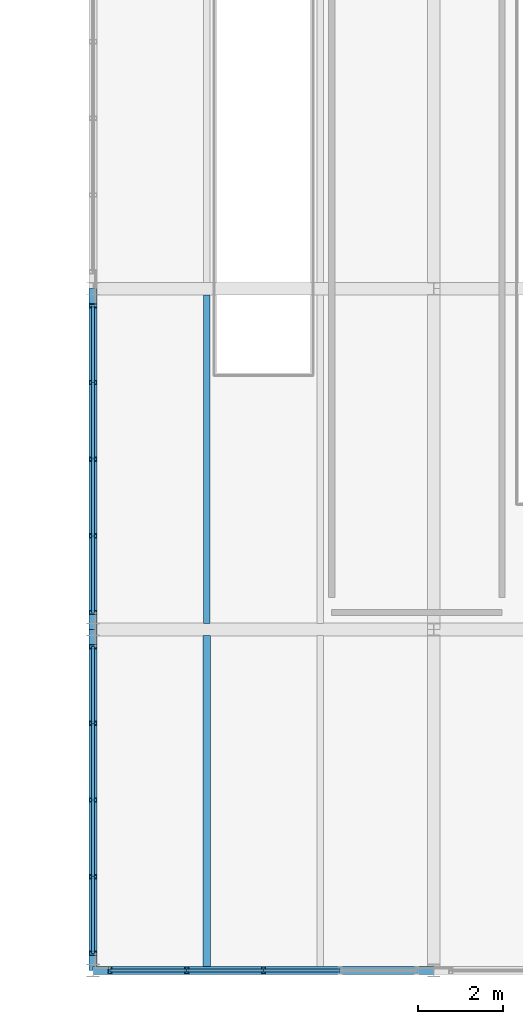
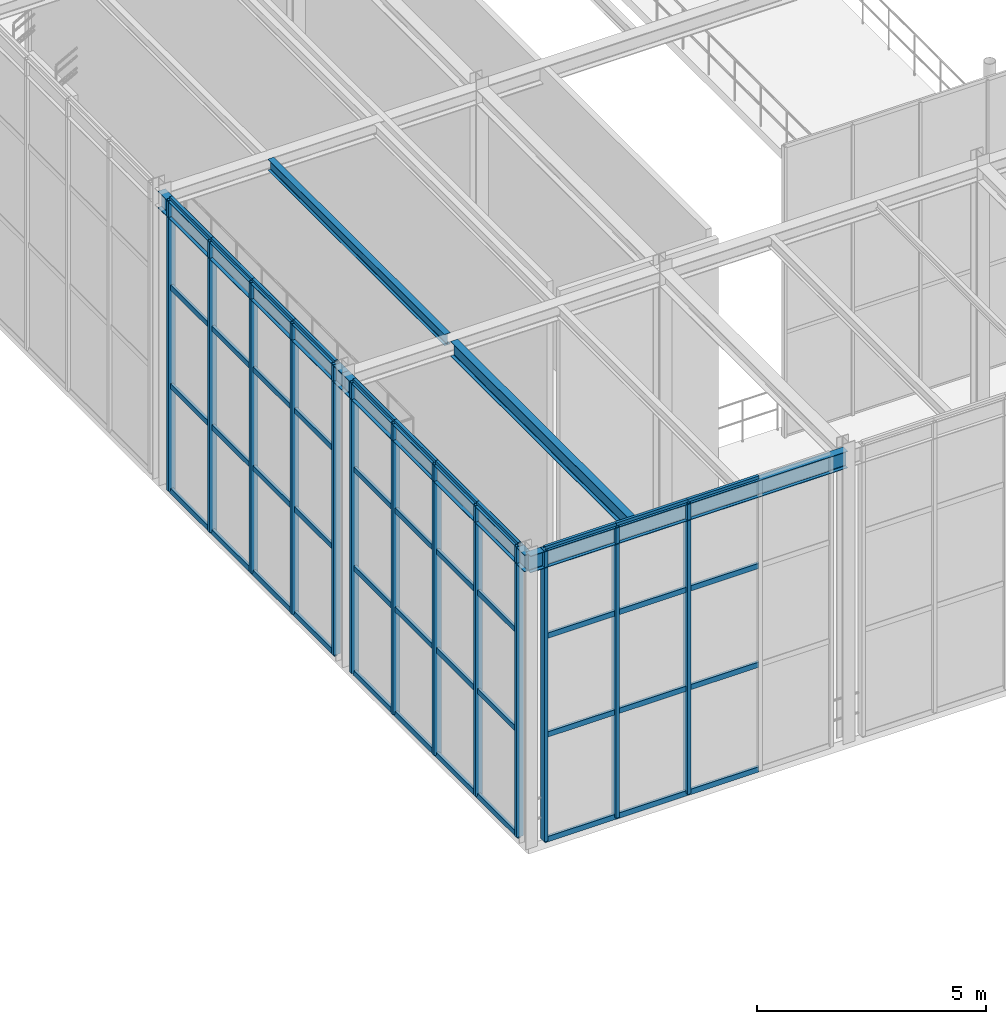
# One storey, part 36 of 138: 57 members, 5 beams, 3 elements without a shape of their own.
"""IFC4 building model written with IfcOpenShell, lengths in metres."""

from ifc_helpers import new_model, si_unit, direction, frame, origin, origin_2d, place, context, subcontext, project, spatial, hollow_rectangle, i_section, extrude, material, material_profile, profile_set, type_object, element, aggregate, save


model = new_model("IFC4")

# Units and contexts
model_context = context("Model", 3, precision=1e-05, world=origin(), true_north=direction((0.0, 1.0)))
body_context = subcontext(model_context, "Body", "Model", "MODEL_VIEW")
ifc_project = project(units=[si_unit("LENGTHUNIT", "METRE"), si_unit("AREAUNIT", "SQUARE_METRE"), si_unit("VOLUMEUNIT", "CUBIC_METRE"), si_unit("PLANEANGLEUNIT", "RADIAN"), si_unit("MASSUNIT", "GRAM", prefix="KILO")], contexts=[model_context])

# Site, building, storey
site_placement = place(None, origin())
site = spatial("IfcSite", under=ifc_project, at=site_placement, CompositionType="ELEMENT")
building_placement = place(site_placement, origin())
building = spatial("IfcBuilding", under=site, at=building_placement, Name="Sundkrona Museum", CompositionType="ELEMENT")
storey_placement = place(building_placement, frame((0.0, 0.0, 9.60009765625)))
storey = spatial("IfcBuildingStorey", under=building, at=storey_placement, Name="L02", CompositionType="ELEMENT", Elevation=9.60009765625)

# Beams
ifc_material_1 = material(Name="Steel S355J2", Category="steel")
ifc_material_profile_1 = material_profile(ifc_material_1, i_section(OverallWidth=0.14990234375, OverallDepth=0.300048828125, WebThickness=0.007080078125, FlangeThickness=0.0107421875, FilletRadius=0.014892578125, at=origin_2d()), Name="IPE 300")
ifc_profile_set_1 = profile_set([ifc_material_profile_1], Name="Steel S355J2")
beam_type_1 = type_object("IfcBeamType", Name="J-IPE300", PredefinedType="JOIST", material=ifc_profile_set_1)
beam_1_placement = place(storey_placement, frame((82.666748046875, 8.14404296875, 7.58984375), z_axis=(0.0, 1.0, 0.0), x_axis=(-1.0, 0.0, 0.0)))
element("IfcBeam", 1, at=beam_1_placement, inside=storey, type_object=beam_type_1, Name="L02 Composite Joist 0832", PredefinedType="JOIST", context=body_context, shape_type="SweptSolid", body=[
    extrude(i_section(OverallWidth=0.14990234375, OverallDepth=0.300048828125, WebThickness=0.007080078125, FlangeThickness=0.0107421875, FilletRadius=0.014892578125, at=origin_2d()), origin(), (0.0, 0.0, 1.0), 7.7119140625),
])
ifc_material_profile_2 = material_profile(ifc_material_1, i_section(OverallWidth=0.179931640625, OverallDepth=0.39990234375, WebThickness=0.008544921875, FlangeThickness=0.013427734375, FilletRadius=0.02099609375, at=origin_2d()), Name="IPE 400")
ifc_profile_set_2 = profile_set([ifc_material_profile_2], Name="Steel S355J2")
beam_type_2 = type_object("IfcBeamType", Name="J-IPE400", PredefinedType="JOIST", material=ifc_profile_set_2)
beam_2_placement = place(storey_placement, frame((82.666748046875, 0.089111328125, 7.539794921875), z_axis=(0.0, 1.0, 0.0), x_axis=(-1.0, 0.0, 0.0)))
element("IfcBeam", 2, at=beam_2_placement, inside=storey, type_object=beam_type_2, Name="L02 Composite Joist 0830", PredefinedType="JOIST", context=body_context, shape_type="SweptSolid", body=[
    extrude(i_section(OverallWidth=0.179931640625, OverallDepth=0.39990234375, WebThickness=0.008544921875, FlangeThickness=0.013427734375, FilletRadius=0.02099609375, at=origin_2d()), origin(), (0.0, 0.0, 1.0), 7.766845703125),
])

# Curtain wall, members
ifc_material_2 = material(Name="Unitised Aluminium-Steel and Ceramic-Clad Curtain Walling", Category="steel")
curtain_wall_type = type_object("IfcCurtainWallType", Name="CW-AT-72x74", PredefinedType="NOTDEFINED", material=ifc_material_2)
curtain_wall_1_placement = place(storey_placement, origin())
curtain_wall_1 = element("IfcCurtainWall", 3, at=curtain_wall_1_placement, inside=storey, type_object=curtain_wall_type, Name="L02 Curtain Wall CW-L02-043", PredefinedType="NOTDEFINED")
ifc_material_3 = material(Name="Aluminium EN AW-6060 T66", Category="aluminium")
ifc_material_profile_3 = material_profile(ifc_material_3, hollow_rectangle(XDim=0.090087890625, YDim=0.179931640625, WallThickness=0.00634765625, at=origin_2d()), Name="RHS 180x90x6.3")
ifc_profile_set_3 = profile_set([ifc_material_profile_3], Name="Aluminium EN AW-6060 T66")
member_type_1 = type_object("IfcMemberType", Name="ML-180", PredefinedType="MULLION", material=ifc_profile_set_3)
member_1_placement = place(storey_placement, frame((80.39990234375, 0.0, -0.004150390625), z_axis=(0.0, 0.0, 1.0), x_axis=(1.0, 0.0, 0.0)))
member_1 = element("IfcMember", 4, at=member_1_placement, type_object=member_type_1, Name="CW-L02-043 Mullion 01", PredefinedType="MULLION", context=body_context, shape_type="SweptSolid", body=[
    extrude(hollow_rectangle(XDim=0.090087890625, YDim=0.179931640625, WallThickness=0.00634765625, at=origin_2d()), origin(), (0.0, 0.0, 1.0), 7.748046875),
])
member_2_placement = place(storey_placement, frame((82.199951171875, 0.0, -0.004150390625), z_axis=(0.0, 0.0, 1.0), x_axis=(1.0, 0.0, 0.0)))
member_2 = element("IfcMember", 5, at=member_2_placement, type_object=member_type_1, Name="CW-L02-043 Mullion 02", PredefinedType="MULLION", context=body_context, shape_type="SweptSolid", body=[
    extrude(hollow_rectangle(XDim=0.090087890625, YDim=0.179931640625, WallThickness=0.00634765625, at=origin_2d()), origin(), (0.0, 0.0, 1.0), 7.748046875),
])
member_3_placement = place(storey_placement, frame((84.0, 0.0, -0.004150390625), z_axis=(0.0, 0.0, 1.0), x_axis=(1.0, 0.0, 0.0)))
member_3 = element("IfcMember", 6, at=member_3_placement, type_object=member_type_1, Name="CW-L02-043 Mullion 03", PredefinedType="MULLION", context=body_context, shape_type="SweptSolid", body=[
    extrude(hollow_rectangle(XDim=0.090087890625, YDim=0.179931640625, WallThickness=0.00634765625, at=origin_2d()), origin(), (0.0, 0.0, 1.0), 7.748046875),
])

curtain_wall_2_placement = place(storey_placement, origin())
curtain_wall_2 = element("IfcCurtainWall", 7, at=curtain_wall_2_placement, inside=storey, type_object=curtain_wall_type, Name="L02 Curtain Wall CW-L02-048", PredefinedType="NOTDEFINED")
member_4_placement = place(storey_placement, frame((80.0, 0.39990234375, -0.004150390625), z_axis=(0.0, 0.0, 1.0), x_axis=(0.0, 1.0, 0.0)))
member_4 = element("IfcMember", 8, at=member_4_placement, type_object=member_type_1, Name="CW-L02-048 Mullion 01", PredefinedType="MULLION", context=body_context, shape_type="SweptSolid", body=[
    extrude(hollow_rectangle(XDim=0.090087890625, YDim=0.179931640625, WallThickness=0.00634765625, at=origin_2d()), origin(), (0.0, 0.0, 1.0), 7.748046875),
])
member_5_placement = place(storey_placement, frame((80.0, 2.199951171875, -0.004150390625), z_axis=(0.0, 0.0, 1.0), x_axis=(0.0, 1.0, 0.0)))
member_5 = element("IfcMember", 9, at=member_5_placement, type_object=member_type_1, Name="CW-L02-048 Mullion 02", PredefinedType="MULLION", context=body_context, shape_type="SweptSolid", body=[
    extrude(hollow_rectangle(XDim=0.090087890625, YDim=0.179931640625, WallThickness=0.00634765625, at=origin_2d()), origin(), (0.0, 0.0, 1.0), 7.748046875),
])
member_6_placement = place(storey_placement, frame((80.0, 4.0, -0.004150390625), z_axis=(0.0, 0.0, 1.0), x_axis=(0.0, 1.0, 0.0)))
member_6 = element("IfcMember", 10, at=member_6_placement, type_object=member_type_1, Name="CW-L02-048 Mullion 03", PredefinedType="MULLION", context=body_context, shape_type="SweptSolid", body=[
    extrude(hollow_rectangle(XDim=0.090087890625, YDim=0.179931640625, WallThickness=0.00634765625, at=origin_2d()), origin(), (0.0, 0.0, 1.0), 7.748046875),
])
member_7_placement = place(storey_placement, frame((80.0, 5.800048828125, -0.004150390625), z_axis=(0.0, 0.0, 1.0), x_axis=(0.0, 1.0, 0.0)))
member_7 = element("IfcMember", 11, at=member_7_placement, type_object=member_type_1, Name="CW-L02-048 Mullion 04", PredefinedType="MULLION", context=body_context, shape_type="SweptSolid", body=[
    extrude(hollow_rectangle(XDim=0.090087890625, YDim=0.179931640625, WallThickness=0.00634765625, at=origin_2d()), origin(), (0.0, 0.0, 1.0), 7.748046875),
])
member_8_placement = place(storey_placement, frame((80.0, 7.60009765625, -0.004150390625), z_axis=(0.0, 0.0, 1.0), x_axis=(0.0, 1.0, 0.0)))
member_8 = element("IfcMember", 12, at=member_8_placement, type_object=member_type_1, Name="CW-L02-048 Mullion 05", PredefinedType="MULLION", context=body_context, shape_type="SweptSolid", body=[
    extrude(hollow_rectangle(XDim=0.090087890625, YDim=0.179931640625, WallThickness=0.00634765625, at=origin_2d()), origin(), (0.0, 0.0, 1.0), 7.748046875),
])

curtain_wall_3_placement = place(storey_placement, origin())
curtain_wall_3 = element("IfcCurtainWall", 13, at=curtain_wall_3_placement, inside=storey, type_object=curtain_wall_type, Name="L02 Curtain Wall CW-L02-049", PredefinedType="NOTDEFINED")
member_9_placement = place(storey_placement, frame((80.0, 8.39990234375, -0.004150390625), z_axis=(0.0, 0.0, 1.0), x_axis=(0.0, 1.0, 0.0)))
member_9 = element("IfcMember", 14, at=member_9_placement, type_object=member_type_1, Name="CW-L02-049 Mullion 01", PredefinedType="MULLION", context=body_context, shape_type="SweptSolid", body=[
    extrude(hollow_rectangle(XDim=0.090087890625, YDim=0.179931640625, WallThickness=0.00634765625, at=origin_2d()), origin(), (0.0, 0.0, 1.0), 7.748046875),
])
member_10_placement = place(storey_placement, frame((80.0, 10.199951171875, -0.004150390625), z_axis=(0.0, 0.0, 1.0), x_axis=(0.0, 1.0, 0.0)))
member_10 = element("IfcMember", 15, at=member_10_placement, type_object=member_type_1, Name="CW-L02-049 Mullion 02", PredefinedType="MULLION", context=body_context, shape_type="SweptSolid", body=[
    extrude(hollow_rectangle(XDim=0.090087890625, YDim=0.179931640625, WallThickness=0.00634765625, at=origin_2d()), origin(), (0.0, 0.0, 1.0), 7.748046875),
])
member_11_placement = place(storey_placement, frame((80.0, 12.0, -0.004150390625), z_axis=(0.0, 0.0, 1.0), x_axis=(0.0, 1.0, 0.0)))
member_11 = element("IfcMember", 16, at=member_11_placement, type_object=member_type_1, Name="CW-L02-049 Mullion 03", PredefinedType="MULLION", context=body_context, shape_type="SweptSolid", body=[
    extrude(hollow_rectangle(XDim=0.090087890625, YDim=0.179931640625, WallThickness=0.00634765625, at=origin_2d()), origin(), (0.0, 0.0, 1.0), 7.748046875),
])
member_12_placement = place(storey_placement, frame((80.0, 13.800048828125, -0.004150390625), z_axis=(0.0, 0.0, 1.0), x_axis=(0.0, 1.0, 0.0)))
member_12 = element("IfcMember", 17, at=member_12_placement, type_object=member_type_1, Name="CW-L02-049 Mullion 04", PredefinedType="MULLION", context=body_context, shape_type="SweptSolid", body=[
    extrude(hollow_rectangle(XDim=0.090087890625, YDim=0.179931640625, WallThickness=0.00634765625, at=origin_2d()), origin(), (0.0, 0.0, 1.0), 7.748046875),
])
member_13_placement = place(storey_placement, frame((80.0, 15.60009765625, -0.004150390625), z_axis=(0.0, 0.0, 1.0), x_axis=(0.0, 1.0, 0.0)))
member_13 = element("IfcMember", 18, at=member_13_placement, type_object=member_type_1, Name="CW-L02-049 Mullion 05", PredefinedType="MULLION", context=body_context, shape_type="SweptSolid", body=[
    extrude(hollow_rectangle(XDim=0.090087890625, YDim=0.179931640625, WallThickness=0.00634765625, at=origin_2d()), origin(), (0.0, 0.0, 1.0), 7.748046875),
])

# Beams
ifc_material_profile_4 = material_profile(ifc_material_1, i_section(OverallWidth=0.18994140625, OverallDepth=0.449951171875, WebThickness=0.009521484375, FlangeThickness=0.0146484375, FilletRadius=0.02099609375, at=origin_2d()), Name="IPE 450")
ifc_profile_set_4 = profile_set([ifc_material_profile_4], Name="Steel S355J2")
beam_type_3 = type_object("IfcBeamType", Name="SP-IPE450", PredefinedType="SPANDREL", material=ifc_profile_set_4)
for number, where, z_axis, x_axis, name in (
    (19, (80.0, 0.0, 7.514892578125), (1.0, 0.0, 0.0), (0.0, 1.0, 0.0), "L02 Girder X-1122"),
    (20, (80.0, 0.0, 7.514892578125), (0.0, 1.0, 0.0), (-1.0, 0.0, 0.0), "L02 Girder Y-1303"),
    (21, (80.0, 8.0, 7.514892578125), (0.0, 1.0, 0.0), (-1.0, 0.0, 0.0), "L02 Girder Y-1304"),
):
    element("IfcBeam", number, at=place(storey_placement, frame(where, z_axis=z_axis, x_axis=x_axis)), inside=storey, type_object=beam_type_3, Name=name, PredefinedType="SPANDREL", context=body_context, shape_type="SweptSolid", body=[
        extrude(i_section(OverallWidth=0.18994140625, OverallDepth=0.449951171875, WebThickness=0.009521484375, FlangeThickness=0.0146484375, FilletRadius=0.02099609375, at=origin_2d()), origin(), (0.0, 0.0, 1.0), 8.0),
    ])

# Member
ifc_material_profile_5 = material_profile(ifc_material_3, hollow_rectangle(XDim=0.070068359375, YDim=0.139892578125, WallThickness=0.0048828125, at=origin_2d()), Name="RHS 140x70x5.0")
ifc_profile_set_5 = profile_set([ifc_material_profile_5], Name="Aluminium EN AW-6060 T66")
member_type_2 = type_object("IfcMemberType", Name="TR-140", PredefinedType="USERDEFINED", material=ifc_profile_set_5)
member_14_placement = place(storey_placement, frame((80.39990234375, 0.0, -0.004150390625), z_axis=(1.0, 0.0, 0.0), x_axis=(0.0, 1.0, 0.0)))
member_14 = element("IfcMember", 22, at=member_14_placement, type_object=member_type_2, Name="CW-L02-043 Transom 01", ObjectType="TRANSOM", PredefinedType="USERDEFINED", context=body_context, shape_type="SweptSolid", body=[
    extrude(hollow_rectangle(XDim=0.070068359375, YDim=0.139892578125, WallThickness=0.0048828125, at=origin_2d()), origin(), (0.0, 0.0, 1.0), 1.800048828125),
])

member_15_placement = place(storey_placement, frame((80.39990234375, 0.0, 2.785888671875), z_axis=(1.0, 0.0, 0.0), x_axis=(0.0, 1.0, 0.0)))
member_15 = element("IfcMember", 23, at=member_15_placement, type_object=member_type_2, Name="CW-L02-043 Transom 02", ObjectType="TRANSOM", PredefinedType="USERDEFINED", context=body_context, shape_type="SweptSolid", body=[
    extrude(hollow_rectangle(XDim=0.070068359375, YDim=0.139892578125, WallThickness=0.0048828125, at=origin_2d()), origin(), (0.0, 0.0, 1.0), 1.800048828125),
])

member_16_placement = place(storey_placement, frame((80.39990234375, 0.0, 5.41796875), z_axis=(1.0, 0.0, 0.0), x_axis=(0.0, 1.0, 0.0)))
member_16 = element("IfcMember", 24, at=member_16_placement, type_object=member_type_2, Name="CW-L02-043 Transom 03", ObjectType="TRANSOM", PredefinedType="USERDEFINED", context=body_context, shape_type="SweptSolid", body=[
    extrude(hollow_rectangle(XDim=0.070068359375, YDim=0.139892578125, WallThickness=0.0048828125, at=origin_2d()), origin(), (0.0, 0.0, 1.0), 1.800048828125),
])

member_17_placement = place(storey_placement, frame((80.39990234375, 0.0, 7.743896484375), z_axis=(1.0, 0.0, 0.0), x_axis=(0.0, 1.0, 0.0)))
member_17 = element("IfcMember", 25, at=member_17_placement, type_object=member_type_2, Name="CW-L02-043 Transom 04", ObjectType="TRANSOM", PredefinedType="USERDEFINED", context=body_context, shape_type="SweptSolid", body=[
    extrude(hollow_rectangle(XDim=0.070068359375, YDim=0.139892578125, WallThickness=0.0048828125, at=origin_2d()), origin(), (0.0, 0.0, 1.0), 1.800048828125),
])

member_18_placement = place(storey_placement, frame((82.199951171875, 0.0, -0.004150390625), z_axis=(1.0, 0.0, 0.0), x_axis=(0.0, 1.0, 0.0)))
member_18 = element("IfcMember", 26, at=member_18_placement, type_object=member_type_2, Name="CW-L02-043 Transom 05", ObjectType="TRANSOM", PredefinedType="USERDEFINED", context=body_context, shape_type="SweptSolid", body=[
    extrude(hollow_rectangle(XDim=0.070068359375, YDim=0.139892578125, WallThickness=0.0048828125, at=origin_2d()), origin(), (0.0, 0.0, 1.0), 1.800048828125),
])

member_19_placement = place(storey_placement, frame((82.199951171875, 0.0, 2.785888671875), z_axis=(1.0, 0.0, 0.0), x_axis=(0.0, 1.0, 0.0)))
member_19 = element("IfcMember", 27, at=member_19_placement, type_object=member_type_2, Name="CW-L02-043 Transom 06", ObjectType="TRANSOM", PredefinedType="USERDEFINED", context=body_context, shape_type="SweptSolid", body=[
    extrude(hollow_rectangle(XDim=0.070068359375, YDim=0.139892578125, WallThickness=0.0048828125, at=origin_2d()), origin(), (0.0, 0.0, 1.0), 1.800048828125),
])

member_20_placement = place(storey_placement, frame((82.199951171875, 0.0, 5.41796875), z_axis=(1.0, 0.0, 0.0), x_axis=(0.0, 1.0, 0.0)))
member_20 = element("IfcMember", 28, at=member_20_placement, type_object=member_type_2, Name="CW-L02-043 Transom 07", ObjectType="TRANSOM", PredefinedType="USERDEFINED", context=body_context, shape_type="SweptSolid", body=[
    extrude(hollow_rectangle(XDim=0.070068359375, YDim=0.139892578125, WallThickness=0.0048828125, at=origin_2d()), origin(), (0.0, 0.0, 1.0), 1.800048828125),
])

member_21_placement = place(storey_placement, frame((82.199951171875, 0.0, 7.743896484375), z_axis=(1.0, 0.0, 0.0), x_axis=(0.0, 1.0, 0.0)))
member_21 = element("IfcMember", 29, at=member_21_placement, type_object=member_type_2, Name="CW-L02-043 Transom 08", ObjectType="TRANSOM", PredefinedType="USERDEFINED", context=body_context, shape_type="SweptSolid", body=[
    extrude(hollow_rectangle(XDim=0.070068359375, YDim=0.139892578125, WallThickness=0.0048828125, at=origin_2d()), origin(), (0.0, 0.0, 1.0), 1.800048828125),
])

member_22_placement = place(storey_placement, frame((84.0, 0.0, -0.004150390625), z_axis=(1.0, 0.0, 0.0), x_axis=(0.0, 1.0, 0.0)))
member_22 = element("IfcMember", 30, at=member_22_placement, type_object=member_type_2, Name="CW-L02-043 Transom 09", ObjectType="TRANSOM", PredefinedType="USERDEFINED", context=body_context, shape_type="SweptSolid", body=[
    extrude(hollow_rectangle(XDim=0.070068359375, YDim=0.139892578125, WallThickness=0.0048828125, at=origin_2d()), origin(), (0.0, 0.0, 1.0), 1.800048828125),
])

member_23_placement = place(storey_placement, frame((84.0, 0.0, 2.785888671875), z_axis=(1.0, 0.0, 0.0), x_axis=(0.0, 1.0, 0.0)))
member_23 = element("IfcMember", 31, at=member_23_placement, type_object=member_type_2, Name="CW-L02-043 Transom 10", ObjectType="TRANSOM", PredefinedType="USERDEFINED", context=body_context, shape_type="SweptSolid", body=[
    extrude(hollow_rectangle(XDim=0.070068359375, YDim=0.139892578125, WallThickness=0.0048828125, at=origin_2d()), origin(), (0.0, 0.0, 1.0), 1.800048828125),
])

member_24_placement = place(storey_placement, frame((84.0, 0.0, 5.41796875), z_axis=(1.0, 0.0, 0.0), x_axis=(0.0, 1.0, 0.0)))
member_24 = element("IfcMember", 32, at=member_24_placement, type_object=member_type_2, Name="CW-L02-043 Transom 11", ObjectType="TRANSOM", PredefinedType="USERDEFINED", context=body_context, shape_type="SweptSolid", body=[
    extrude(hollow_rectangle(XDim=0.070068359375, YDim=0.139892578125, WallThickness=0.0048828125, at=origin_2d()), origin(), (0.0, 0.0, 1.0), 1.800048828125),
])

member_25_placement = place(storey_placement, frame((84.0, 0.0, 7.743896484375), z_axis=(1.0, 0.0, 0.0), x_axis=(0.0, 1.0, 0.0)))
member_25 = element("IfcMember", 33, at=member_25_placement, type_object=member_type_2, Name="CW-L02-043 Transom 12", ObjectType="TRANSOM", PredefinedType="USERDEFINED", context=body_context, shape_type="SweptSolid", body=[
    extrude(hollow_rectangle(XDim=0.070068359375, YDim=0.139892578125, WallThickness=0.0048828125, at=origin_2d()), origin(), (0.0, 0.0, 1.0), 1.800048828125),
])

aggregate(curtain_wall_1, [member_1, member_2, member_3, member_14, member_15, member_16, member_17, member_18, member_19, member_20, member_21, member_22, member_23, member_24, member_25])

member_26_placement = place(storey_placement, frame((80.0, 0.39990234375, -0.004150390625), z_axis=(0.0, 1.0, 0.0), x_axis=(-1.0, 0.0, 0.0)))
member_26 = element("IfcMember", 34, at=member_26_placement, type_object=member_type_2, Name="CW-L02-048 Transom 01", ObjectType="TRANSOM", PredefinedType="USERDEFINED", context=body_context, shape_type="SweptSolid", body=[
    extrude(hollow_rectangle(XDim=0.070068359375, YDim=0.139892578125, WallThickness=0.0048828125, at=origin_2d()), origin(), (0.0, 0.0, 1.0), 1.800048828125),
])

member_27_placement = place(storey_placement, frame((80.0, 0.39990234375, 2.785888671875), z_axis=(0.0, 1.0, 0.0), x_axis=(-1.0, 0.0, 0.0)))
member_27 = element("IfcMember", 35, at=member_27_placement, type_object=member_type_2, Name="CW-L02-048 Transom 02", ObjectType="TRANSOM", PredefinedType="USERDEFINED", context=body_context, shape_type="SweptSolid", body=[
    extrude(hollow_rectangle(XDim=0.070068359375, YDim=0.139892578125, WallThickness=0.0048828125, at=origin_2d()), origin(), (0.0, 0.0, 1.0), 1.800048828125),
])

member_28_placement = place(storey_placement, frame((80.0, 0.39990234375, 5.41796875), z_axis=(0.0, 1.0, 0.0), x_axis=(-1.0, 0.0, 0.0)))
member_28 = element("IfcMember", 36, at=member_28_placement, type_object=member_type_2, Name="CW-L02-048 Transom 03", ObjectType="TRANSOM", PredefinedType="USERDEFINED", context=body_context, shape_type="SweptSolid", body=[
    extrude(hollow_rectangle(XDim=0.070068359375, YDim=0.139892578125, WallThickness=0.0048828125, at=origin_2d()), origin(), (0.0, 0.0, 1.0), 1.800048828125),
])

member_29_placement = place(storey_placement, frame((80.0, 0.39990234375, 7.743896484375), z_axis=(0.0, 1.0, 0.0), x_axis=(-1.0, 0.0, 0.0)))
member_29 = element("IfcMember", 37, at=member_29_placement, type_object=member_type_2, Name="CW-L02-048 Transom 04", ObjectType="TRANSOM", PredefinedType="USERDEFINED", context=body_context, shape_type="SweptSolid", body=[
    extrude(hollow_rectangle(XDim=0.070068359375, YDim=0.139892578125, WallThickness=0.0048828125, at=origin_2d()), origin(), (0.0, 0.0, 1.0), 1.800048828125),
])

member_30_placement = place(storey_placement, frame((80.0, 2.199951171875, -0.004150390625), z_axis=(0.0, 1.0, 0.0), x_axis=(-1.0, 0.0, 0.0)))
member_30 = element("IfcMember", 38, at=member_30_placement, type_object=member_type_2, Name="CW-L02-048 Transom 05", ObjectType="TRANSOM", PredefinedType="USERDEFINED", context=body_context, shape_type="SweptSolid", body=[
    extrude(hollow_rectangle(XDim=0.070068359375, YDim=0.139892578125, WallThickness=0.0048828125, at=origin_2d()), origin(), (0.0, 0.0, 1.0), 1.800048828125),
])

member_31_placement = place(storey_placement, frame((80.0, 2.199951171875, 2.785888671875), z_axis=(0.0, 1.0, 0.0), x_axis=(-1.0, 0.0, 0.0)))
member_31 = element("IfcMember", 39, at=member_31_placement, type_object=member_type_2, Name="CW-L02-048 Transom 06", ObjectType="TRANSOM", PredefinedType="USERDEFINED", context=body_context, shape_type="SweptSolid", body=[
    extrude(hollow_rectangle(XDim=0.070068359375, YDim=0.139892578125, WallThickness=0.0048828125, at=origin_2d()), origin(), (0.0, 0.0, 1.0), 1.800048828125),
])

member_32_placement = place(storey_placement, frame((80.0, 2.199951171875, 5.41796875), z_axis=(0.0, 1.0, 0.0), x_axis=(-1.0, 0.0, 0.0)))
member_32 = element("IfcMember", 40, at=member_32_placement, type_object=member_type_2, Name="CW-L02-048 Transom 07", ObjectType="TRANSOM", PredefinedType="USERDEFINED", context=body_context, shape_type="SweptSolid", body=[
    extrude(hollow_rectangle(XDim=0.070068359375, YDim=0.139892578125, WallThickness=0.0048828125, at=origin_2d()), origin(), (0.0, 0.0, 1.0), 1.800048828125),
])

member_33_placement = place(storey_placement, frame((80.0, 2.199951171875, 7.743896484375), z_axis=(0.0, 1.0, 0.0), x_axis=(-1.0, 0.0, 0.0)))
member_33 = element("IfcMember", 41, at=member_33_placement, type_object=member_type_2, Name="CW-L02-048 Transom 08", ObjectType="TRANSOM", PredefinedType="USERDEFINED", context=body_context, shape_type="SweptSolid", body=[
    extrude(hollow_rectangle(XDim=0.070068359375, YDim=0.139892578125, WallThickness=0.0048828125, at=origin_2d()), origin(), (0.0, 0.0, 1.0), 1.800048828125),
])

member_34_placement = place(storey_placement, frame((80.0, 4.0, -0.004150390625), z_axis=(0.0, 1.0, 0.0), x_axis=(-1.0, 0.0, 0.0)))
member_34 = element("IfcMember", 42, at=member_34_placement, type_object=member_type_2, Name="CW-L02-048 Transom 09", ObjectType="TRANSOM", PredefinedType="USERDEFINED", context=body_context, shape_type="SweptSolid", body=[
    extrude(hollow_rectangle(XDim=0.070068359375, YDim=0.139892578125, WallThickness=0.0048828125, at=origin_2d()), origin(), (0.0, 0.0, 1.0), 1.800048828125),
])

member_35_placement = place(storey_placement, frame((80.0, 4.0, 2.785888671875), z_axis=(0.0, 1.0, 0.0), x_axis=(-1.0, 0.0, 0.0)))
member_35 = element("IfcMember", 43, at=member_35_placement, type_object=member_type_2, Name="CW-L02-048 Transom 10", ObjectType="TRANSOM", PredefinedType="USERDEFINED", context=body_context, shape_type="SweptSolid", body=[
    extrude(hollow_rectangle(XDim=0.070068359375, YDim=0.139892578125, WallThickness=0.0048828125, at=origin_2d()), origin(), (0.0, 0.0, 1.0), 1.800048828125),
])

member_36_placement = place(storey_placement, frame((80.0, 4.0, 5.41796875), z_axis=(0.0, 1.0, 0.0), x_axis=(-1.0, 0.0, 0.0)))
member_36 = element("IfcMember", 44, at=member_36_placement, type_object=member_type_2, Name="CW-L02-048 Transom 11", ObjectType="TRANSOM", PredefinedType="USERDEFINED", context=body_context, shape_type="SweptSolid", body=[
    extrude(hollow_rectangle(XDim=0.070068359375, YDim=0.139892578125, WallThickness=0.0048828125, at=origin_2d()), origin(), (0.0, 0.0, 1.0), 1.800048828125),
])

member_37_placement = place(storey_placement, frame((80.0, 4.0, 7.743896484375), z_axis=(0.0, 1.0, 0.0), x_axis=(-1.0, 0.0, 0.0)))
member_37 = element("IfcMember", 45, at=member_37_placement, type_object=member_type_2, Name="CW-L02-048 Transom 12", ObjectType="TRANSOM", PredefinedType="USERDEFINED", context=body_context, shape_type="SweptSolid", body=[
    extrude(hollow_rectangle(XDim=0.070068359375, YDim=0.139892578125, WallThickness=0.0048828125, at=origin_2d()), origin(), (0.0, 0.0, 1.0), 1.800048828125),
])

member_38_placement = place(storey_placement, frame((80.0, 5.800048828125, -0.004150390625), z_axis=(0.0, 1.0, 0.0), x_axis=(-1.0, 0.0, 0.0)))
member_38 = element("IfcMember", 46, at=member_38_placement, type_object=member_type_2, Name="CW-L02-048 Transom 13", ObjectType="TRANSOM", PredefinedType="USERDEFINED", context=body_context, shape_type="SweptSolid", body=[
    extrude(hollow_rectangle(XDim=0.070068359375, YDim=0.139892578125, WallThickness=0.0048828125, at=origin_2d()), origin(), (0.0, 0.0, 1.0), 1.800048828125),
])

member_39_placement = place(storey_placement, frame((80.0, 5.800048828125, 2.785888671875), z_axis=(0.0, 1.0, 0.0), x_axis=(-1.0, 0.0, 0.0)))
member_39 = element("IfcMember", 47, at=member_39_placement, type_object=member_type_2, Name="CW-L02-048 Transom 14", ObjectType="TRANSOM", PredefinedType="USERDEFINED", context=body_context, shape_type="SweptSolid", body=[
    extrude(hollow_rectangle(XDim=0.070068359375, YDim=0.139892578125, WallThickness=0.0048828125, at=origin_2d()), origin(), (0.0, 0.0, 1.0), 1.800048828125),
])

member_40_placement = place(storey_placement, frame((80.0, 5.800048828125, 5.41796875), z_axis=(0.0, 1.0, 0.0), x_axis=(-1.0, 0.0, 0.0)))
member_40 = element("IfcMember", 48, at=member_40_placement, type_object=member_type_2, Name="CW-L02-048 Transom 15", ObjectType="TRANSOM", PredefinedType="USERDEFINED", context=body_context, shape_type="SweptSolid", body=[
    extrude(hollow_rectangle(XDim=0.070068359375, YDim=0.139892578125, WallThickness=0.0048828125, at=origin_2d()), origin(), (0.0, 0.0, 1.0), 1.800048828125),
])

member_41_placement = place(storey_placement, frame((80.0, 5.800048828125, 7.743896484375), z_axis=(0.0, 1.0, 0.0), x_axis=(-1.0, 0.0, 0.0)))
member_41 = element("IfcMember", 49, at=member_41_placement, type_object=member_type_2, Name="CW-L02-048 Transom 16", ObjectType="TRANSOM", PredefinedType="USERDEFINED", context=body_context, shape_type="SweptSolid", body=[
    extrude(hollow_rectangle(XDim=0.070068359375, YDim=0.139892578125, WallThickness=0.0048828125, at=origin_2d()), origin(), (0.0, 0.0, 1.0), 1.800048828125),
])

aggregate(curtain_wall_2, [member_4, member_5, member_6, member_7, member_8, member_26, member_27, member_28, member_29, member_30, member_31, member_32, member_33, member_34, member_35, member_36, member_37, member_38, member_39, member_40, member_41])

member_42_placement = place(storey_placement, frame((80.0, 8.39990234375, -0.004150390625), z_axis=(0.0, 1.0, 0.0), x_axis=(-1.0, 0.0, 0.0)))
member_42 = element("IfcMember", 50, at=member_42_placement, type_object=member_type_2, Name="CW-L02-049 Transom 01", ObjectType="TRANSOM", PredefinedType="USERDEFINED", context=body_context, shape_type="SweptSolid", body=[
    extrude(hollow_rectangle(XDim=0.070068359375, YDim=0.139892578125, WallThickness=0.0048828125, at=origin_2d()), origin(), (0.0, 0.0, 1.0), 1.800048828125),
])

member_43_placement = place(storey_placement, frame((80.0, 8.39990234375, 2.785888671875), z_axis=(0.0, 1.0, 0.0), x_axis=(-1.0, 0.0, 0.0)))
member_43 = element("IfcMember", 51, at=member_43_placement, type_object=member_type_2, Name="CW-L02-049 Transom 02", ObjectType="TRANSOM", PredefinedType="USERDEFINED", context=body_context, shape_type="SweptSolid", body=[
    extrude(hollow_rectangle(XDim=0.070068359375, YDim=0.139892578125, WallThickness=0.0048828125, at=origin_2d()), origin(), (0.0, 0.0, 1.0), 1.800048828125),
])

member_44_placement = place(storey_placement, frame((80.0, 8.39990234375, 5.41796875), z_axis=(0.0, 1.0, 0.0), x_axis=(-1.0, 0.0, 0.0)))
member_44 = element("IfcMember", 52, at=member_44_placement, type_object=member_type_2, Name="CW-L02-049 Transom 03", ObjectType="TRANSOM", PredefinedType="USERDEFINED", context=body_context, shape_type="SweptSolid", body=[
    extrude(hollow_rectangle(XDim=0.070068359375, YDim=0.139892578125, WallThickness=0.0048828125, at=origin_2d()), origin(), (0.0, 0.0, 1.0), 1.800048828125),
])

member_45_placement = place(storey_placement, frame((80.0, 8.39990234375, 7.743896484375), z_axis=(0.0, 1.0, 0.0), x_axis=(-1.0, 0.0, 0.0)))
member_45 = element("IfcMember", 53, at=member_45_placement, type_object=member_type_2, Name="CW-L02-049 Transom 04", ObjectType="TRANSOM", PredefinedType="USERDEFINED", context=body_context, shape_type="SweptSolid", body=[
    extrude(hollow_rectangle(XDim=0.070068359375, YDim=0.139892578125, WallThickness=0.0048828125, at=origin_2d()), origin(), (0.0, 0.0, 1.0), 1.800048828125),
])

member_46_placement = place(storey_placement, frame((80.0, 10.199951171875, -0.004150390625), z_axis=(0.0, 1.0, 0.0), x_axis=(-1.0, 0.0, 0.0)))
member_46 = element("IfcMember", 54, at=member_46_placement, type_object=member_type_2, Name="CW-L02-049 Transom 05", ObjectType="TRANSOM", PredefinedType="USERDEFINED", context=body_context, shape_type="SweptSolid", body=[
    extrude(hollow_rectangle(XDim=0.070068359375, YDim=0.139892578125, WallThickness=0.0048828125, at=origin_2d()), origin(), (0.0, 0.0, 1.0), 1.800048828125),
])

member_47_placement = place(storey_placement, frame((80.0, 10.199951171875, 2.785888671875), z_axis=(0.0, 1.0, 0.0), x_axis=(-1.0, 0.0, 0.0)))
member_47 = element("IfcMember", 55, at=member_47_placement, type_object=member_type_2, Name="CW-L02-049 Transom 06", ObjectType="TRANSOM", PredefinedType="USERDEFINED", context=body_context, shape_type="SweptSolid", body=[
    extrude(hollow_rectangle(XDim=0.070068359375, YDim=0.139892578125, WallThickness=0.0048828125, at=origin_2d()), origin(), (0.0, 0.0, 1.0), 1.800048828125),
])

member_48_placement = place(storey_placement, frame((80.0, 10.199951171875, 5.41796875), z_axis=(0.0, 1.0, 0.0), x_axis=(-1.0, 0.0, 0.0)))
member_48 = element("IfcMember", 56, at=member_48_placement, type_object=member_type_2, Name="CW-L02-049 Transom 07", ObjectType="TRANSOM", PredefinedType="USERDEFINED", context=body_context, shape_type="SweptSolid", body=[
    extrude(hollow_rectangle(XDim=0.070068359375, YDim=0.139892578125, WallThickness=0.0048828125, at=origin_2d()), origin(), (0.0, 0.0, 1.0), 1.800048828125),
])

member_49_placement = place(storey_placement, frame((80.0, 10.199951171875, 7.743896484375), z_axis=(0.0, 1.0, 0.0), x_axis=(-1.0, 0.0, 0.0)))
member_49 = element("IfcMember", 57, at=member_49_placement, type_object=member_type_2, Name="CW-L02-049 Transom 08", ObjectType="TRANSOM", PredefinedType="USERDEFINED", context=body_context, shape_type="SweptSolid", body=[
    extrude(hollow_rectangle(XDim=0.070068359375, YDim=0.139892578125, WallThickness=0.0048828125, at=origin_2d()), origin(), (0.0, 0.0, 1.0), 1.800048828125),
])

member_50_placement = place(storey_placement, frame((80.0, 12.0, -0.004150390625), z_axis=(0.0, 1.0, 0.0), x_axis=(-1.0, 0.0, 0.0)))
member_50 = element("IfcMember", 58, at=member_50_placement, type_object=member_type_2, Name="CW-L02-049 Transom 09", ObjectType="TRANSOM", PredefinedType="USERDEFINED", context=body_context, shape_type="SweptSolid", body=[
    extrude(hollow_rectangle(XDim=0.070068359375, YDim=0.139892578125, WallThickness=0.0048828125, at=origin_2d()), origin(), (0.0, 0.0, 1.0), 1.800048828125),
])

member_51_placement = place(storey_placement, frame((80.0, 12.0, 2.785888671875), z_axis=(0.0, 1.0, 0.0), x_axis=(-1.0, 0.0, 0.0)))
member_51 = element("IfcMember", 59, at=member_51_placement, type_object=member_type_2, Name="CW-L02-049 Transom 10", ObjectType="TRANSOM", PredefinedType="USERDEFINED", context=body_context, shape_type="SweptSolid", body=[
    extrude(hollow_rectangle(XDim=0.070068359375, YDim=0.139892578125, WallThickness=0.0048828125, at=origin_2d()), origin(), (0.0, 0.0, 1.0), 1.800048828125),
])

member_52_placement = place(storey_placement, frame((80.0, 12.0, 5.41796875), z_axis=(0.0, 1.0, 0.0), x_axis=(-1.0, 0.0, 0.0)))
member_52 = element("IfcMember", 60, at=member_52_placement, type_object=member_type_2, Name="CW-L02-049 Transom 11", ObjectType="TRANSOM", PredefinedType="USERDEFINED", context=body_context, shape_type="SweptSolid", body=[
    extrude(hollow_rectangle(XDim=0.070068359375, YDim=0.139892578125, WallThickness=0.0048828125, at=origin_2d()), origin(), (0.0, 0.0, 1.0), 1.800048828125),
])

member_53_placement = place(storey_placement, frame((80.0, 12.0, 7.743896484375), z_axis=(0.0, 1.0, 0.0), x_axis=(-1.0, 0.0, 0.0)))
member_53 = element("IfcMember", 61, at=member_53_placement, type_object=member_type_2, Name="CW-L02-049 Transom 12", ObjectType="TRANSOM", PredefinedType="USERDEFINED", context=body_context, shape_type="SweptSolid", body=[
    extrude(hollow_rectangle(XDim=0.070068359375, YDim=0.139892578125, WallThickness=0.0048828125, at=origin_2d()), origin(), (0.0, 0.0, 1.0), 1.800048828125),
])

member_54_placement = place(storey_placement, frame((80.0, 13.800048828125, -0.004150390625), z_axis=(0.0, 1.0, 0.0), x_axis=(-1.0, 0.0, 0.0)))
member_54 = element("IfcMember", 62, at=member_54_placement, type_object=member_type_2, Name="CW-L02-049 Transom 13", ObjectType="TRANSOM", PredefinedType="USERDEFINED", context=body_context, shape_type="SweptSolid", body=[
    extrude(hollow_rectangle(XDim=0.070068359375, YDim=0.139892578125, WallThickness=0.0048828125, at=origin_2d()), origin(), (0.0, 0.0, 1.0), 1.800048828125),
])

member_55_placement = place(storey_placement, frame((80.0, 13.800048828125, 2.785888671875), z_axis=(0.0, 1.0, 0.0), x_axis=(-1.0, 0.0, 0.0)))
member_55 = element("IfcMember", 63, at=member_55_placement, type_object=member_type_2, Name="CW-L02-049 Transom 14", ObjectType="TRANSOM", PredefinedType="USERDEFINED", context=body_context, shape_type="SweptSolid", body=[
    extrude(hollow_rectangle(XDim=0.070068359375, YDim=0.139892578125, WallThickness=0.0048828125, at=origin_2d()), origin(), (0.0, 0.0, 1.0), 1.800048828125),
])

member_56_placement = place(storey_placement, frame((80.0, 13.800048828125, 5.41796875), z_axis=(0.0, 1.0, 0.0), x_axis=(-1.0, 0.0, 0.0)))
member_56 = element("IfcMember", 64, at=member_56_placement, type_object=member_type_2, Name="CW-L02-049 Transom 15", ObjectType="TRANSOM", PredefinedType="USERDEFINED", context=body_context, shape_type="SweptSolid", body=[
    extrude(hollow_rectangle(XDim=0.070068359375, YDim=0.139892578125, WallThickness=0.0048828125, at=origin_2d()), origin(), (0.0, 0.0, 1.0), 1.800048828125),
])

member_57_placement = place(storey_placement, frame((80.0, 13.800048828125, 7.743896484375), z_axis=(0.0, 1.0, 0.0), x_axis=(-1.0, 0.0, 0.0)))
member_57 = element("IfcMember", 65, at=member_57_placement, type_object=member_type_2, Name="CW-L02-049 Transom 16", ObjectType="TRANSOM", PredefinedType="USERDEFINED", context=body_context, shape_type="SweptSolid", body=[
    extrude(hollow_rectangle(XDim=0.070068359375, YDim=0.139892578125, WallThickness=0.0048828125, at=origin_2d()), origin(), (0.0, 0.0, 1.0), 1.800048828125),
])

aggregate(curtain_wall_3, [member_9, member_10, member_11, member_12, member_13, member_42, member_43, member_44, member_45, member_46, member_47, member_48, member_49, member_50, member_51, member_52, member_53, member_54, member_55, member_56, member_57])

save(model, "model.ifc")
